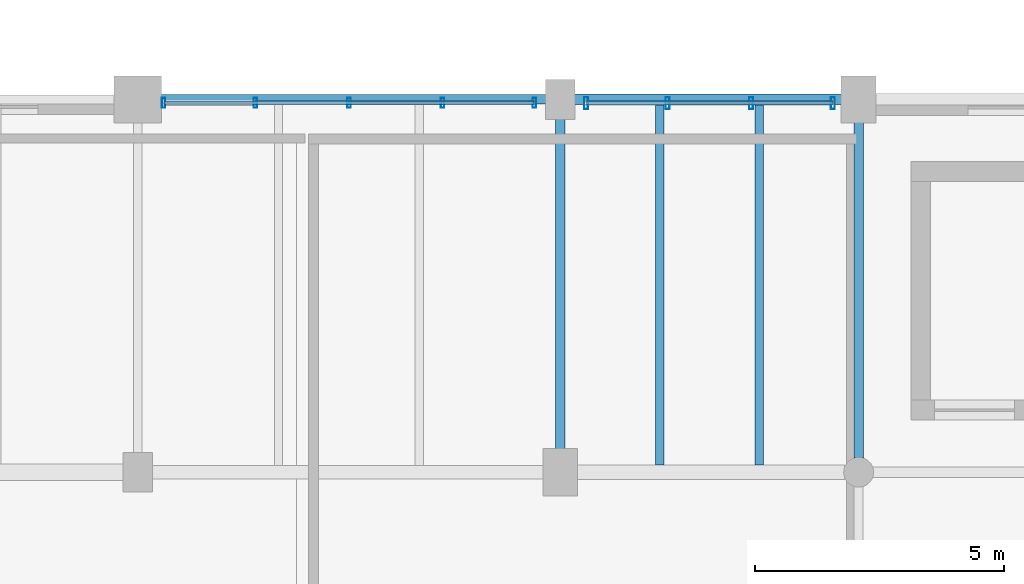
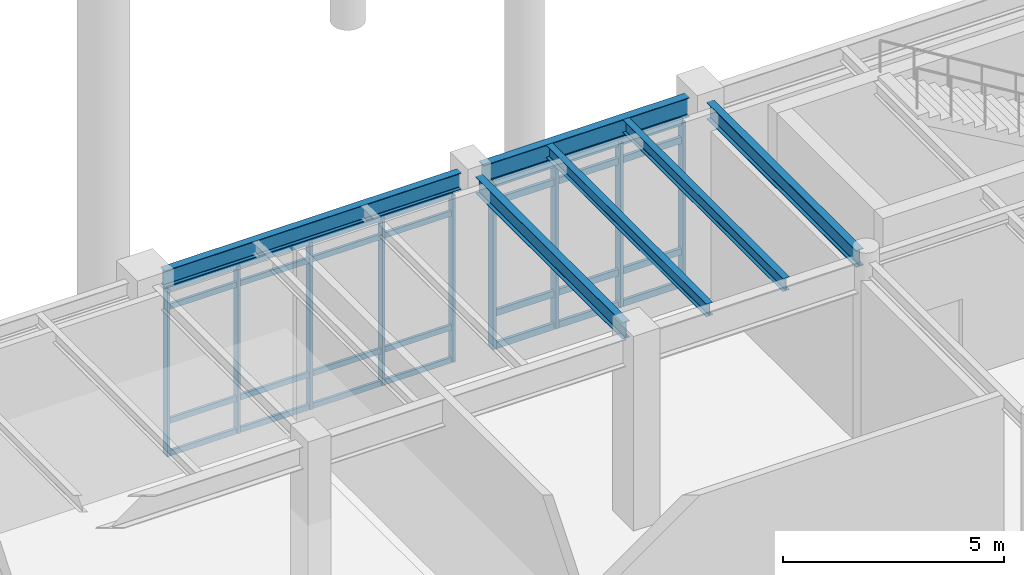
# One storey, part 125 of 203: 17 members, 6 beams, 2 elements without a shape of their own.
"""IFC4 building model written with IfcOpenShell, lengths in metres."""

from ifc_helpers import new_model, si_unit, direction, frame, origin, origin_2d, place, context, subcontext, project, spatial, hollow_rectangle, i_section, extrude, material, material_profile, profile_set, type_object, element, aggregate, save


model = new_model("IFC4")

# Units and contexts
model_context = context("Model", 3, precision=1e-05, world=origin(), true_north=direction((0.0, 1.0)))
body_context = subcontext(model_context, "Body", "Model", "MODEL_VIEW")
ifc_project = project(units=[si_unit("LENGTHUNIT", "METRE"), si_unit("AREAUNIT", "SQUARE_METRE"), si_unit("VOLUMEUNIT", "CUBIC_METRE"), si_unit("PLANEANGLEUNIT", "RADIAN"), si_unit("MASSUNIT", "GRAM", prefix="KILO"), si_unit("THERMODYNAMICTEMPERATUREUNIT", "KELVIN"), si_unit("POWERUNIT", "WATT")], contexts=[model_context])

# Site, building, storey
site_placement = place(None, origin())
site = spatial("IfcSite", under=ifc_project, at=site_placement, CompositionType="ELEMENT")
building_placement = place(site_placement, origin())
building = spatial("IfcBuilding", under=site, at=building_placement, Name="Tepalcoro Natatorium and Aquatics Centre", CompositionType="ELEMENT")
storey_placement = place(building_placement, origin())
storey = spatial("IfcBuildingStorey", under=building, at=storey_placement, Name="L00", CompositionType="ELEMENT", Elevation=0.0)

# Beams
ifc_material_1 = material(Name="Steel ASTM A992 Grade 50 (Fy 345 MPa)", Category="steel")
ifc_material_profile_1 = material_profile(ifc_material_1, i_section(OverallWidth=0.19091796875, OverallDepth=0.45703125, WebThickness=0.009033203125, FlangeThickness=0.013916015625, FilletRadius=0.013916015625, at=origin_2d()), Name="W18X50")
ifc_profile_set_1 = profile_set([ifc_material_profile_1], Name="Steel ASTM A992 Grade 50 (Fy 345 MPa)")
beam_type_1 = type_object("IfcBeamType", Name="BM_W18x50", PredefinedType="BEAM", material=ifc_profile_set_1)
beam_1_placement = place(storey_placement, frame((159.0, 51.9599609375, 4.896484375), z_axis=(0.0, 1.0, 0.0), x_axis=(-1.0, 0.0, 0.0)))
element("IfcBeam", 1, at=beam_1_placement, inside=storey, type_object=beam_type_1, Name="V2 L00 Grid Girder Y", PredefinedType="BEAM", context=body_context, shape_type="SweptSolid", body=[
    extrude(i_section(OverallWidth=0.19091796875, OverallDepth=0.45703125, WebThickness=0.009033203125, FlangeThickness=0.013916015625, FilletRadius=0.013916015625, at=origin_2d()), origin(), (0.0, 0.0, 1.0), 6.655029296875),
])
ifc_material_profile_2 = material_profile(ifc_material_1, i_section(OverallWidth=0.193115234375, OverallDepth=0.467041015625, WebThickness=0.010986328125, FlangeThickness=0.01904296875, FilletRadius=0.013916015625, at=origin_2d()), Name="W18X65")
ifc_profile_set_2 = profile_set([ifc_material_profile_2], Name="Steel ASTM A992 Grade 50 (Fy 345 MPa)")
beam_type_2 = type_object("IfcBeamType", Name="BM_W18x65", PredefinedType="BEAM", material=ifc_profile_set_2)
beam_2_placement = place(storey_placement, frame((165.0, 51.784912109375, 4.8916015625), z_axis=(0.0, 1.0, 0.0), x_axis=(-1.0, 0.0, 0.0)))
element("IfcBeam", 2, at=beam_2_placement, inside=storey, type_object=beam_type_2, Name="V2 L00 Grid Girder Y", PredefinedType="BEAM", context=body_context, shape_type="SweptSolid", body=[
    extrude(i_section(OverallWidth=0.193115234375, OverallDepth=0.467041015625, WebThickness=0.010986328125, FlangeThickness=0.01904296875, FilletRadius=0.013916015625, at=origin_2d()), origin(), (0.0, 0.0, 1.0), 6.755126953125),
])

# Curtain wall, members
ifc_material_2 = material(Name="Bronze-Anodised Extruded Aluminium Alloy EN AW-6063 T6", Category="aluminium")
curtain_wall_type_1 = type_object("IfcCurtainWallType", Name="CW_LEAN_T1_EW", PredefinedType="USERDEFINED", material=ifc_material_2)
curtain_wall_1_placement = place(storey_placement, origin())
curtain_wall_1 = element("IfcCurtainWall", 3, at=curtain_wall_1_placement, inside=storey, type_object=curtain_wall_type_1, Name="V2 L00 N Unitised Curtain Wall Bay 2", ObjectType="FACETED SOLAR GLAZING", PredefinedType="USERDEFINED")
ifc_material_profile_3 = material_profile(ifc_material_2, hollow_rectangle(XDim=0.070068359375, YDim=0.199951171875, WallThickness=0.0048828125, at=origin_2d()), Name="AL70X200X5")
ifc_profile_set_3 = profile_set([ifc_material_profile_3], Name="Bronze-Anodised Extruded Aluminium Alloy EN AW-6063 T6")
member_type_1 = type_object("IfcMemberType", Name="CW_MUL_70x200", PredefinedType="MULLION", material=ifc_profile_set_3)
member_1_placement = place(storey_placement, frame((151.02001953125, 58.9287109375, 0.02001953125), z_axis=(0.0, 0.0, 1.0), x_axis=(1.0, 0.0, 0.0)))
member_1 = element("IfcMember", 4, at=member_1_placement, type_object=member_type_1, Name="CW_LEAN_T1_EW Curtain Wall Mullion", PredefinedType="MULLION", context=body_context, shape_type="SweptSolid", body=[
    extrude(hollow_rectangle(XDim=0.070068359375, YDim=0.199951171875, WallThickness=0.0048828125, at=origin_2d()), origin(), (0.0, 0.0, 1.0), 4.60986328125),
])
member_2_placement = place(storey_placement, frame((152.864990234375, 58.9287109375, 0.02001953125), z_axis=(0.0, 0.0, 1.0), x_axis=(1.0, 0.0, 0.0)))
member_2 = element("IfcMember", 5, at=member_2_placement, type_object=member_type_1, Name="CW_LEAN_T1_EW Curtain Wall Mullion", PredefinedType="MULLION", context=body_context, shape_type="SweptSolid", body=[
    extrude(hollow_rectangle(XDim=0.070068359375, YDim=0.199951171875, WallThickness=0.0048828125, at=origin_2d()), origin(), (0.0, 0.0, 1.0), 4.60986328125),
])
member_3_placement = place(storey_placement, frame((154.75, 58.9287109375, 0.02001953125), z_axis=(0.0, 0.0, 1.0), x_axis=(1.0, 0.0, 0.0)))
member_3 = element("IfcMember", 6, at=member_3_placement, type_object=member_type_1, Name="CW_LEAN_T1_EW Curtain Wall Mullion", PredefinedType="MULLION", context=body_context, shape_type="SweptSolid", body=[
    extrude(hollow_rectangle(XDim=0.070068359375, YDim=0.199951171875, WallThickness=0.0048828125, at=origin_2d()), origin(), (0.0, 0.0, 1.0), 4.60986328125),
])
member_4_placement = place(storey_placement, frame((156.635009765625, 58.9287109375, 0.02001953125), z_axis=(0.0, 0.0, 1.0), x_axis=(1.0, 0.0, 0.0)))
member_4 = element("IfcMember", 7, at=member_4_placement, type_object=member_type_1, Name="CW_LEAN_T1_EW Curtain Wall Mullion", PredefinedType="MULLION", context=body_context, shape_type="SweptSolid", body=[
    extrude(hollow_rectangle(XDim=0.070068359375, YDim=0.199951171875, WallThickness=0.0048828125, at=origin_2d()), origin(), (0.0, 0.0, 1.0), 4.60986328125),
])
member_5_placement = place(storey_placement, frame((158.47998046875, 58.9287109375, 0.02001953125), z_axis=(0.0, 0.0, 1.0), x_axis=(1.0, 0.0, 0.0)))
member_5 = element("IfcMember", 8, at=member_5_placement, type_object=member_type_1, Name="CW_LEAN_T1_EW Curtain Wall Mullion", PredefinedType="MULLION", context=body_context, shape_type="SweptSolid", body=[
    extrude(hollow_rectangle(XDim=0.070068359375, YDim=0.199951171875, WallThickness=0.0048828125, at=origin_2d()), origin(), (0.0, 0.0, 1.0), 4.60986328125),
])

curtain_wall_type_2 = type_object("IfcCurtainWallType", Name="CW_LEAN_T2_NS", PredefinedType="USERDEFINED", material=ifc_material_2)
curtain_wall_2_placement = place(storey_placement, origin())
curtain_wall_2 = element("IfcCurtainWall", 9, at=curtain_wall_2_placement, inside=storey, type_object=curtain_wall_type_2, Name="V2 L00 N Unitised Curtain Wall Bay 3", ObjectType="FACETED SOLAR GLAZING", PredefinedType="USERDEFINED")
ifc_material_profile_4 = material_profile(ifc_material_2, hollow_rectangle(XDim=0.080078125, YDim=0.239990234375, WallThickness=0.0048828125, at=origin_2d()), Name="AL80X240X5")
ifc_profile_set_4 = profile_set([ifc_material_profile_4], Name="Bronze-Anodised Extruded Aluminium Alloy EN AW-6063 T6")
member_type_2 = type_object("IfcMemberType", Name="CW_MUL_80x240", PredefinedType="MULLION", material=ifc_profile_set_4)
member_6_placement = place(storey_placement, frame((159.52001953125, 58.923828125, 0.02001953125), z_axis=(0.0, 0.0, 1.0), x_axis=(1.0, 0.0, 0.0)))
member_6 = element("IfcMember", 10, at=member_6_placement, type_object=member_type_2, Name="CW_LEAN_T2_NS Curtain Wall Mullion", PredefinedType="MULLION", context=body_context, shape_type="SweptSolid", body=[
    extrude(hollow_rectangle(XDim=0.080078125, YDim=0.239990234375, WallThickness=0.0048828125, at=origin_2d()), origin(), (0.0, 0.0, 1.0), 4.533935546875),
])
member_7_placement = place(storey_placement, frame((161.159912109375, 58.923828125, 0.02001953125), z_axis=(0.0, 0.0, 1.0), x_axis=(1.0, 0.0, 0.0)))
member_7 = element("IfcMember", 11, at=member_7_placement, type_object=member_type_2, Name="CW_LEAN_T2_NS Curtain Wall Mullion", PredefinedType="MULLION", context=body_context, shape_type="SweptSolid", body=[
    extrude(hollow_rectangle(XDim=0.080078125, YDim=0.239990234375, WallThickness=0.0048828125, at=origin_2d()), origin(), (0.0, 0.0, 1.0), 4.533935546875),
])
member_8_placement = place(storey_placement, frame((162.840087890625, 58.923828125, 0.02001953125), z_axis=(0.0, 0.0, 1.0), x_axis=(1.0, 0.0, 0.0)))
member_8 = element("IfcMember", 12, at=member_8_placement, type_object=member_type_2, Name="CW_LEAN_T2_NS Curtain Wall Mullion", PredefinedType="MULLION", context=body_context, shape_type="SweptSolid", body=[
    extrude(hollow_rectangle(XDim=0.080078125, YDim=0.239990234375, WallThickness=0.0048828125, at=origin_2d()), origin(), (0.0, 0.0, 1.0), 4.533935546875),
])
member_9_placement = place(storey_placement, frame((164.47998046875, 58.923828125, 0.02001953125), z_axis=(0.0, 0.0, 1.0), x_axis=(1.0, 0.0, 0.0)))
member_9 = element("IfcMember", 13, at=member_9_placement, type_object=member_type_2, Name="CW_LEAN_T2_NS Curtain Wall Mullion", PredefinedType="MULLION", context=body_context, shape_type="SweptSolid", body=[
    extrude(hollow_rectangle(XDim=0.080078125, YDim=0.239990234375, WallThickness=0.0048828125, at=origin_2d()), origin(), (0.0, 0.0, 1.0), 4.533935546875),
])

# Member
ifc_material_profile_5 = material_profile(ifc_material_2, hollow_rectangle(XDim=0.070068359375, YDim=0.14990234375, WallThickness=0.00390625, at=origin_2d()), Name="AL70X150X4")
ifc_profile_set_5 = profile_set([ifc_material_profile_5], Name="Bronze-Anodised Extruded Aluminium Alloy EN AW-6063 T6")
member_type_3 = type_object("IfcMemberType", Name="CW_TRN_70x150", PredefinedType="USERDEFINED", material=ifc_profile_set_5)
member_10_placement = place(storey_placement, frame((151.030029296875, 58.9287109375, 0.050048828125), z_axis=(1.0, 0.0, 0.0), x_axis=(0.0, 1.0, 0.0)))
member_10 = element("IfcMember", 14, at=member_10_placement, type_object=member_type_3, Name="CW_LEAN_T1_EW Curtain Wall Transom", ObjectType="TRANSOM", PredefinedType="USERDEFINED", context=body_context, shape_type="SweptSolid", body=[
    extrude(hollow_rectangle(XDim=0.070068359375, YDim=0.14990234375, WallThickness=0.00390625, at=origin_2d()), origin(), (0.0, 0.0, 1.0), 7.43994140625),
])

member_11_placement = place(storey_placement, frame((151.030029296875, 58.9287109375, 0.949951171875), z_axis=(1.0, 0.0, 0.0), x_axis=(0.0, 1.0, 0.0)))
member_11 = element("IfcMember", 15, at=member_11_placement, type_object=member_type_3, Name="CW_LEAN_T1_EW Curtain Wall Transom", ObjectType="TRANSOM", PredefinedType="USERDEFINED", context=body_context, shape_type="SweptSolid", body=[
    extrude(hollow_rectangle(XDim=0.070068359375, YDim=0.14990234375, WallThickness=0.00390625, at=origin_2d()), origin(), (0.0, 0.0, 1.0), 7.43994140625),
])

member_12_placement = place(storey_placement, frame((151.030029296875, 58.9287109375, 4.10009765625), z_axis=(1.0, 0.0, 0.0), x_axis=(0.0, 1.0, 0.0)))
member_12 = element("IfcMember", 16, at=member_12_placement, type_object=member_type_3, Name="CW_LEAN_T1_EW Curtain Wall Transom", ObjectType="TRANSOM", PredefinedType="USERDEFINED", context=body_context, shape_type="SweptSolid", body=[
    extrude(hollow_rectangle(XDim=0.070068359375, YDim=0.14990234375, WallThickness=0.00390625, at=origin_2d()), origin(), (0.0, 0.0, 1.0), 7.43994140625),
])

member_13_placement = place(storey_placement, frame((151.030029296875, 58.9287109375, 4.60009765625), z_axis=(1.0, 0.0, 0.0), x_axis=(0.0, 1.0, 0.0)))
member_13 = element("IfcMember", 17, at=member_13_placement, type_object=member_type_3, Name="CW_LEAN_T1_EW Curtain Wall Transom", ObjectType="TRANSOM", PredefinedType="USERDEFINED", context=body_context, shape_type="SweptSolid", body=[
    extrude(hollow_rectangle(XDim=0.070068359375, YDim=0.14990234375, WallThickness=0.00390625, at=origin_2d()), origin(), (0.0, 0.0, 1.0), 7.43994140625),
])

aggregate(curtain_wall_1, [member_1, member_2, member_3, member_4, member_5, member_10, member_11, member_12, member_13])

ifc_material_profile_6 = material_profile(ifc_material_2, hollow_rectangle(XDim=0.080078125, YDim=0.179931640625, WallThickness=0.0048828125, at=origin_2d()), Name="AL80X180X5")
ifc_profile_set_6 = profile_set([ifc_material_profile_6], Name="Bronze-Anodised Extruded Aluminium Alloy EN AW-6063 T6")
member_type_4 = type_object("IfcMemberType", Name="CW_TRN_80x180", PredefinedType="USERDEFINED", material=ifc_profile_set_6)
member_14_placement = place(storey_placement, frame((159.530029296875, 58.923828125, 0.050048828125), z_axis=(1.0, 0.0, 0.0), x_axis=(0.0, 1.0, 0.0)))
member_14 = element("IfcMember", 18, at=member_14_placement, type_object=member_type_4, Name="CW_LEAN_T2_NS Curtain Wall Transom", ObjectType="TRANSOM", PredefinedType="USERDEFINED", context=body_context, shape_type="SweptSolid", body=[
    extrude(hollow_rectangle(XDim=0.080078125, YDim=0.179931640625, WallThickness=0.0048828125, at=origin_2d()), origin(), (0.0, 0.0, 1.0), 4.93994140625),
])

member_15_placement = place(storey_placement, frame((159.530029296875, 58.923828125, 0.949951171875), z_axis=(1.0, 0.0, 0.0), x_axis=(0.0, 1.0, 0.0)))
member_15 = element("IfcMember", 19, at=member_15_placement, type_object=member_type_4, Name="CW_LEAN_T2_NS Curtain Wall Transom", ObjectType="TRANSOM", PredefinedType="USERDEFINED", context=body_context, shape_type="SweptSolid", body=[
    extrude(hollow_rectangle(XDim=0.080078125, YDim=0.179931640625, WallThickness=0.0048828125, at=origin_2d()), origin(), (0.0, 0.0, 1.0), 4.93994140625),
])

member_16_placement = place(storey_placement, frame((159.530029296875, 58.923828125, 4.02392578125), z_axis=(1.0, 0.0, 0.0), x_axis=(0.0, 1.0, 0.0)))
member_16 = element("IfcMember", 20, at=member_16_placement, type_object=member_type_4, Name="CW_LEAN_T2_NS Curtain Wall Transom", ObjectType="TRANSOM", PredefinedType="USERDEFINED", context=body_context, shape_type="SweptSolid", body=[
    extrude(hollow_rectangle(XDim=0.080078125, YDim=0.179931640625, WallThickness=0.0048828125, at=origin_2d()), origin(), (0.0, 0.0, 1.0), 4.93994140625),
])

member_17_placement = place(storey_placement, frame((159.530029296875, 58.923828125, 4.52392578125), z_axis=(1.0, 0.0, 0.0), x_axis=(0.0, 1.0, 0.0)))
member_17 = element("IfcMember", 21, at=member_17_placement, type_object=member_type_4, Name="CW_LEAN_T2_NS Curtain Wall Transom", ObjectType="TRANSOM", PredefinedType="USERDEFINED", context=body_context, shape_type="SweptSolid", body=[
    extrude(hollow_rectangle(XDim=0.080078125, YDim=0.179931640625, WallThickness=0.0048828125, at=origin_2d()), origin(), (0.0, 0.0, 1.0), 4.93994140625),
])

aggregate(curtain_wall_2, [member_6, member_7, member_8, member_9, member_14, member_15, member_16, member_17])

# Beams
ifc_material_profile_7 = material_profile(ifc_material_1, i_section(OverallWidth=0.1708984375, OverallDepth=0.35107421875, WebThickness=0.007080078125, FlangeThickness=0.010009765625, FilletRadius=0.013916015625, at=origin_2d()), Name="W14X30")
ifc_profile_set_7 = profile_set([ifc_material_profile_7], Name="Steel ASTM A992 Grade 50 (Fy 345 MPa)")
beam_type_3 = type_object("IfcBeamType", Name="JS_W14x30", PredefinedType="JOIST", material=ifc_profile_set_7)
beam_3_placement = place(storey_placement, frame((161.0, 51.64599609375, 4.949462890625), z_axis=(0.0, 1.0, 0.0), x_axis=(-1.0, 0.0, 0.0)))
element("IfcBeam", 22, at=beam_3_placement, inside=storey, type_object=beam_type_3, Name="V2 L00 Floor Joist", PredefinedType="JOIST", context=body_context, shape_type="SweptSolid", body=[
    extrude(i_section(OverallWidth=0.1708984375, OverallDepth=0.35107421875, WebThickness=0.007080078125, FlangeThickness=0.010009765625, FilletRadius=0.013916015625, at=origin_2d()), origin(), (0.0, 0.0, 1.0), 7.2490234375),
])
ifc_material_profile_8 = material_profile(ifc_material_1, i_section(OverallWidth=0.172119140625, OverallDepth=0.35791015625, WebThickness=0.008056640625, FlangeThickness=0.012939453125, FilletRadius=0.013916015625, at=origin_2d()), Name="W14X38")
ifc_profile_set_8 = profile_set([ifc_material_profile_8], Name="Steel ASTM A992 Grade 50 (Fy 345 MPa)")
beam_type_4 = type_object("IfcBeamType", Name="JS_W14x38", PredefinedType="JOIST", material=ifc_profile_set_8)
beam_4_placement = place(storey_placement, frame((163.0, 51.64599609375, 4.946044921875), z_axis=(0.0, 1.0, 0.0), x_axis=(-1.0, 0.0, 0.0)))
element("IfcBeam", 23, at=beam_4_placement, inside=storey, type_object=beam_type_4, Name="V2 L00 Floor Joist", PredefinedType="JOIST", context=body_context, shape_type="SweptSolid", body=[
    extrude(i_section(OverallWidth=0.172119140625, OverallDepth=0.35791015625, WebThickness=0.008056640625, FlangeThickness=0.012939453125, FilletRadius=0.013916015625, at=origin_2d()), origin(), (0.0, 0.0, 1.0), 7.2490234375),
])
ifc_material_profile_9 = material_profile(ifc_material_1, i_section(OverallWidth=0.19091796875, OverallDepth=0.4599609375, WebThickness=0.010009765625, FlangeThickness=0.01611328125, FilletRadius=0.013916015625, at=origin_2d()), Name="W18X55")
ifc_profile_set_9 = profile_set([ifc_material_profile_9], Name="Steel ASTM A992 Grade 50 (Fy 345 MPa)")
beam_type_5 = type_object("IfcBeamType", Name="SP_W18x55", PredefinedType="SPANDREL", material=ifc_profile_set_9)
beam_5_placement = place(storey_placement, frame((150.9599609375, 59.0, 4.89501953125), z_axis=(1.0, 0.0, 0.0), x_axis=(0.0, 1.0, 0.0)))
element("IfcBeam", 24, at=beam_5_placement, inside=storey, type_object=beam_type_5, Name="V2 L00 Grid Girder X", PredefinedType="SPANDREL", context=body_context, shape_type="SweptSolid", body=[
    extrude(i_section(OverallWidth=0.19091796875, OverallDepth=0.4599609375, WebThickness=0.010009765625, FlangeThickness=0.01611328125, FilletRadius=0.013916015625, at=origin_2d()), origin(), (0.0, 0.0, 1.0), 7.755126953125),
])
ifc_material_profile_10 = material_profile(ifc_material_1, i_section(OverallWidth=0.2099609375, OverallDepth=0.535888671875, WebThickness=0.010986328125, FlangeThickness=0.01708984375, FilletRadius=0.013916015625, at=origin_2d()), Name="W21X68")
ifc_profile_set_10 = profile_set([ifc_material_profile_10], Name="Steel ASTM A992 Grade 50 (Fy 345 MPa)")
beam_type_6 = type_object("IfcBeamType", Name="SP_W21x68", PredefinedType="SPANDREL", material=ifc_profile_set_10)
beam_6_placement = place(storey_placement, frame((159.284912109375, 59.0, 4.85693359375), z_axis=(1.0, 0.0, 0.0), x_axis=(0.0, 1.0, 0.0)))
element("IfcBeam", 25, at=beam_6_placement, inside=storey, type_object=beam_type_6, Name="V2 L00 Grid Girder X", PredefinedType="SPANDREL", context=body_context, shape_type="SweptSolid", body=[
    extrude(i_section(OverallWidth=0.2099609375, OverallDepth=0.535888671875, WebThickness=0.010986328125, FlangeThickness=0.01708984375, FilletRadius=0.013916015625, at=origin_2d()), origin(), (0.0, 0.0, 1.0), 5.380126953125),
])

save(model, "model.ifc")
